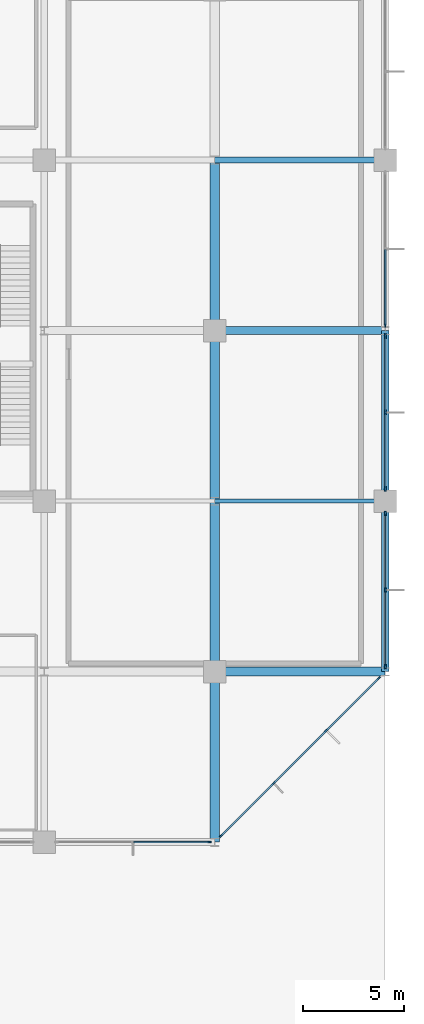
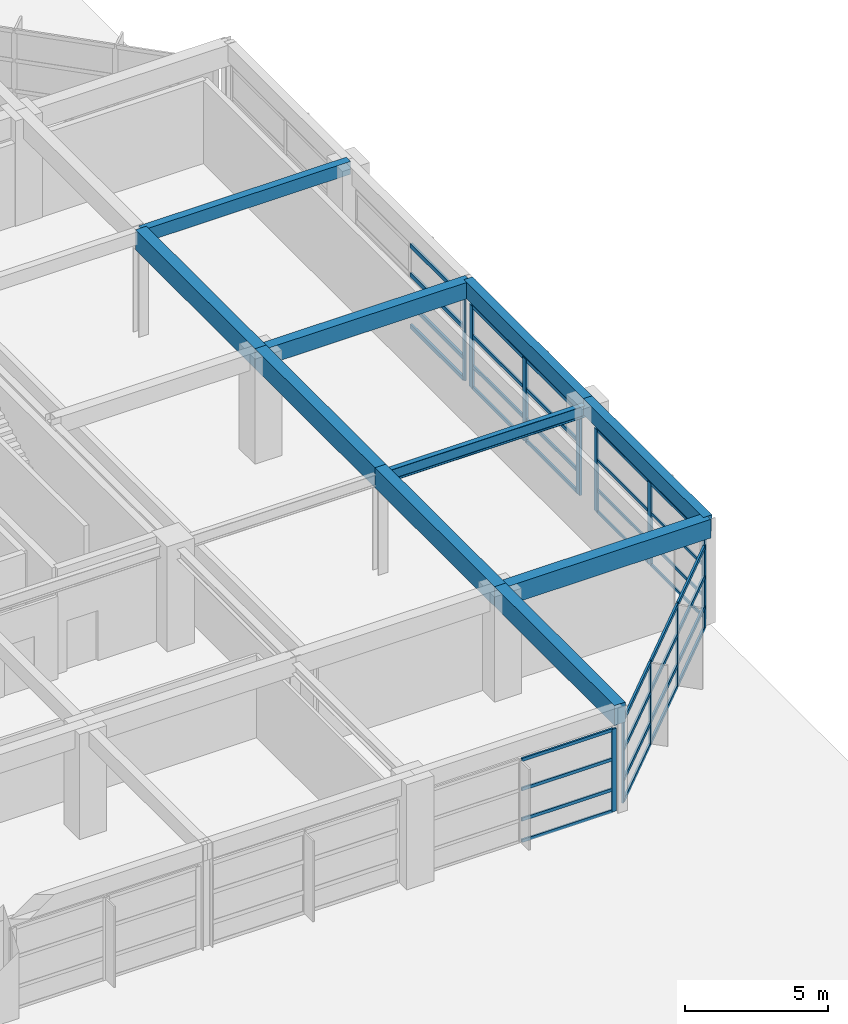
# One storey, part 34 of 47: 48 members, 10 beams, 5 elements without a shape of their own.
"""IFC4 building model written with IfcOpenShell, lengths in metres."""

from ifc_helpers import new_model, si_unit, direction, frame, origin, origin_2d, place, context, subcontext, project, spatial, rectangle, i_section, extrude, material, material_profile, profile_set, type_object, element, aggregate, save


model = new_model("IFC4")

# Units and contexts
model_context = context("Model", 3, precision=1e-05, world=origin(), true_north=direction((0.0, 1.0)))
body_context = subcontext(model_context, "Body", "Model", "MODEL_VIEW")
ifc_project = project(units=[si_unit("LENGTHUNIT", "METRE"), si_unit("AREAUNIT", "SQUARE_METRE"), si_unit("VOLUMEUNIT", "CUBIC_METRE"), si_unit("PLANEANGLEUNIT", "RADIAN"), si_unit("MASSUNIT", "GRAM", prefix="KILO")], contexts=[model_context])

# Site, building, storey
site_placement = place(None, origin())
site = spatial("IfcSite", under=ifc_project, at=site_placement, CompositionType="ELEMENT")
building_placement = place(site_placement, origin())
building = spatial("IfcBuilding", under=site, at=building_placement, Name="Xuanlan Plaza Opera House", CompositionType="ELEMENT")
storey_placement = place(building_placement, frame((0.0, 0.0, 23.39990234375)))
storey = spatial("IfcBuildingStorey", under=building, at=storey_placement, Name="L05", CompositionType="ELEMENT", Elevation=23.39990234375)

# Curtain wall, member
ifc_material_1 = material(Name="Anodised Aluminium 6063-T6 and Low-E Glass", Category="aluminium")
curtain_wall_type_1 = type_object("IfcCurtainWallType", Name="ENV-CW-CW-02", PredefinedType="USERDEFINED", material=ifc_material_1)
curtain_wall_1_placement = place(storey_placement, origin())
curtain_wall_1 = element("IfcCurtainWall", 1, at=curtain_wall_1_placement, inside=storey, type_object=curtain_wall_type_1, Name="Unitised Curtain Wall L05-019", ObjectType="UNITISED CURTAIN WALL", PredefinedType="USERDEFINED")
ifc_material_2 = material(Name="Anodised Aluminium 6063-T6", Category="aluminium")
ifc_material_profile_1 = material_profile(ifc_material_2, rectangle(XDim=0.06494140625, YDim=0.159912109375, at=origin_2d()), Name="ALU-M 65x160")
ifc_profile_set_1 = profile_set([ifc_material_profile_1], Name="Anodised Aluminium 6063-T6")
member_type_1 = type_object("IfcMemberType", Name="ENV-CWM-01", PredefinedType="MULLION", material=ifc_profile_set_1)
member_1_placement = place(storey_placement, frame((168.0, 59.052490234375, 0.0), z_axis=(0.0, 0.0, 1.0), x_axis=(-1.0, 0.0, 0.0)))
member_1 = element("IfcMember", 2, at=member_1_placement, type_object=member_type_1, Name="CW-02 mullion 1", PredefinedType="MULLION", context=body_context, shape_type="SweptSolid", body=[
    extrude(rectangle(XDim=0.06494140625, YDim=0.159912109375, at=origin_2d()), origin(), (0.0, 0.0, 1.0), 3.5400390625),
])

curtain_wall_2_placement = place(storey_placement, origin())
curtain_wall_2 = element("IfcCurtainWall", 3, at=curtain_wall_2_placement, inside=storey, type_object=curtain_wall_type_1, Name="Unitised Curtain Wall L05-015", ObjectType="UNITISED CURTAIN WALL", PredefinedType="USERDEFINED")
ifc_material_profile_2 = material_profile(ifc_material_2, rectangle(XDim=0.070068359375, YDim=0.179931640625, at=origin_2d()), Name="ALU-M 70x180")
ifc_profile_set_2 = profile_set([ifc_material_profile_2], Name="Anodised Aluminium 6063-T6")
member_type_2 = type_object("IfcMemberType", Name="ENV-CWM-02", PredefinedType="MULLION", material=ifc_profile_set_2)
member_2_placement = place(storey_placement, frame((159.344970703125, 33.60009765625, 0.0), z_axis=(0.0, 0.0, 1.0), x_axis=(0.0, 1.0, 0.0)))
member_2 = element("IfcMember", 4, at=member_2_placement, type_object=member_type_2, Name="CW-02 mullion 3", PredefinedType="MULLION", context=body_context, shape_type="SweptSolid", body=[
    extrude(rectangle(XDim=0.070068359375, YDim=0.179931640625, at=origin_2d()), origin(), (0.0, 0.0, 1.0), 3.5400390625),
])

# Curtain wall, members
curtain_wall_type_2 = type_object("IfcCurtainWallType", Name="ENV-CW-CW-03", PredefinedType="USERDEFINED", material=ifc_material_1)
curtain_wall_3_placement = place(storey_placement, origin())
curtain_wall_3 = element("IfcCurtainWall", 5, at=curtain_wall_3_placement, inside=storey, type_object=curtain_wall_type_2, Name="Unitised Curtain Wall L05-016", ObjectType="UNITISED CURTAIN WALL", PredefinedType="USERDEFINED")
ifc_material_profile_3 = material_profile(ifc_material_2, rectangle(XDim=0.074951171875, YDim=0.199951171875, at=origin_2d()), Name="ALU-M 75x200")
ifc_profile_set_3 = profile_set([ifc_material_profile_3], Name="Anodised Aluminium 6063-T6")
member_type_3 = type_object("IfcMemberType", Name="ENV-CWM-03", PredefinedType="MULLION", material=ifc_profile_set_3)
member_3_placement = place(storey_placement, frame((159.925537109375, 33.925537109375, 0.0), z_axis=(0.0, 0.0, 1.0), x_axis=(-0.707106781187, 0.707106781187, 0.0)))
member_3 = element("IfcMember", 6, at=member_3_placement, type_object=member_type_3, Name="CW-03 mullion 1", PredefinedType="MULLION", context=body_context, shape_type="SweptSolid", body=[
    extrude(rectangle(XDim=0.074951171875, YDim=0.199951171875, at=origin_2d()), origin(), (0.0, 0.0, 1.0), 3.5400390625),
])
member_4_placement = place(storey_placement, frame((162.499755859375, 36.499755859375, 0.0), z_axis=(0.0, 0.0, 1.0), x_axis=(-0.707106781187, 0.707106781187, 0.0)))
member_4 = element("IfcMember", 7, at=member_4_placement, type_object=member_type_3, Name="CW-03 mullion 2", PredefinedType="MULLION", context=body_context, shape_type="SweptSolid", body=[
    extrude(rectangle(XDim=0.074951171875, YDim=0.199951171875, at=origin_2d()), origin(), (0.0, 0.0, 1.0), 3.5400390625),
])
member_5_placement = place(storey_placement, frame((165.100341796875, 39.100341796875, 0.0), z_axis=(0.0, 0.0, 1.0), x_axis=(-0.707106781187, 0.707106781187, 0.0)))
member_5 = element("IfcMember", 8, at=member_5_placement, type_object=member_type_3, Name="CW-03 mullion 3", PredefinedType="MULLION", context=body_context, shape_type="SweptSolid", body=[
    extrude(rectangle(XDim=0.074951171875, YDim=0.199951171875, at=origin_2d()), origin(), (0.0, 0.0, 1.0), 3.5400390625),
])
member_6_placement = place(storey_placement, frame((167.674560546875, 41.674560546875, 0.0), z_axis=(0.0, 0.0, 1.0), x_axis=(-0.707106781187, 0.707106781187, 0.0)))
member_6 = element("IfcMember", 9, at=member_6_placement, type_object=member_type_3, Name="CW-03 mullion 4", PredefinedType="MULLION", context=body_context, shape_type="SweptSolid", body=[
    extrude(rectangle(XDim=0.074951171875, YDim=0.199951171875, at=origin_2d()), origin(), (0.0, 0.0, 1.0), 3.5400390625),
])

curtain_wall_type_3 = type_object("IfcCurtainWallType", Name="ENV-CW-CW-04", PredefinedType="USERDEFINED", material=ifc_material_1)
curtain_wall_4_placement = place(storey_placement, origin())
curtain_wall_4 = element("IfcCurtainWall", 10, at=curtain_wall_4_placement, inside=storey, type_object=curtain_wall_type_3, Name="Unitised Curtain Wall L05-017", ObjectType="UNITISED CURTAIN WALL", PredefinedType="USERDEFINED")
ifc_material_profile_4 = material_profile(ifc_material_2, rectangle(XDim=0.080078125, YDim=0.219970703125, at=origin_2d()), Name="ALU-M 80x220")
ifc_profile_set_4 = profile_set([ifc_material_profile_4], Name="Anodised Aluminium 6063-T6")
member_type_4 = type_object("IfcMemberType", Name="ENV-CWM-04", PredefinedType="MULLION", material=ifc_profile_set_4)
member_7_placement = place(storey_placement, frame((168.0, 42.260009765625, 0.0), z_axis=(0.0, 0.0, 1.0), x_axis=(-1.0, 0.0, 0.0)))
member_7 = element("IfcMember", 11, at=member_7_placement, type_object=member_type_4, Name="CW-04 mullion 1", PredefinedType="MULLION", context=body_context, shape_type="SweptSolid", body=[
    extrude(rectangle(XDim=0.080078125, YDim=0.219970703125, at=origin_2d()), origin(), (0.0, 0.0, 1.0), 3.5400390625),
])
member_8_placement = place(storey_placement, frame((168.0, 46.02490234375, 0.0), z_axis=(0.0, 0.0, 1.0), x_axis=(-1.0, 0.0, 0.0)))
member_8 = element("IfcMember", 12, at=member_8_placement, type_object=member_type_4, Name="CW-04 mullion 2", PredefinedType="MULLION", context=body_context, shape_type="SweptSolid", body=[
    extrude(rectangle(XDim=0.080078125, YDim=0.219970703125, at=origin_2d()), origin(), (0.0, 0.0, 1.0), 3.5400390625),
])
member_9_placement = place(storey_placement, frame((168.0, 49.7900390625, 0.0), z_axis=(0.0, 0.0, 1.0), x_axis=(-1.0, 0.0, 0.0)))
member_9 = element("IfcMember", 13, at=member_9_placement, type_object=member_type_4, Name="CW-04 mullion 3", PredefinedType="MULLION", context=body_context, shape_type="SweptSolid", body=[
    extrude(rectangle(XDim=0.080078125, YDim=0.219970703125, at=origin_2d()), origin(), (0.0, 0.0, 1.0), 3.5400390625),
])

curtain_wall_type_4 = type_object("IfcCurtainWallType", Name="ENV-CW-CW-01", PredefinedType="USERDEFINED", material=ifc_material_1)
curtain_wall_5_placement = place(storey_placement, origin())
curtain_wall_5 = element("IfcCurtainWall", 14, at=curtain_wall_5_placement, inside=storey, type_object=curtain_wall_type_4, Name="Unitised Curtain Wall L05-018", ObjectType="UNITISED CURTAIN WALL", PredefinedType="USERDEFINED")
ifc_material_profile_5 = material_profile(ifc_material_2, rectangle(XDim=0.090087890625, YDim=0.25, at=origin_2d()), Name="ALU-M 90x250")
ifc_profile_set_5 = profile_set([ifc_material_profile_5], Name="Anodised Aluminium 6063-T6")
member_type_5 = type_object("IfcMemberType", Name="ENV-CWM-05", PredefinedType="MULLION", material=ifc_profile_set_5)
member_10_placement = place(storey_placement, frame((168.0, 51.014892578125, 0.0), z_axis=(0.0, 0.0, 1.0), x_axis=(-1.0, 0.0, 0.0)))
member_10 = element("IfcMember", 15, at=member_10_placement, type_object=member_type_5, Name="CW-01 mullion 1", PredefinedType="MULLION", context=body_context, shape_type="SweptSolid", body=[
    extrude(rectangle(XDim=0.090087890625, YDim=0.25, at=origin_2d()), origin(), (0.0, 0.0, 1.0), 3.5400390625),
])
member_11_placement = place(storey_placement, frame((168.0, 54.77490234375, 0.0), z_axis=(0.0, 0.0, 1.0), x_axis=(-1.0, 0.0, 0.0)))
member_11 = element("IfcMember", 16, at=member_11_placement, type_object=member_type_5, Name="CW-01 mullion 2", PredefinedType="MULLION", context=body_context, shape_type="SweptSolid", body=[
    extrude(rectangle(XDim=0.090087890625, YDim=0.25, at=origin_2d()), origin(), (0.0, 0.0, 1.0), 3.5400390625),
])
member_12_placement = place(storey_placement, frame((168.0, 58.534912109375, 0.0), z_axis=(0.0, 0.0, 1.0), x_axis=(-1.0, 0.0, 0.0)))
member_12 = element("IfcMember", 17, at=member_12_placement, type_object=member_type_5, Name="CW-01 mullion 3", PredefinedType="MULLION", context=body_context, shape_type="SweptSolid", body=[
    extrude(rectangle(XDim=0.090087890625, YDim=0.25, at=origin_2d()), origin(), (0.0, 0.0, 1.0), 3.5400390625),
])

# Member
ifc_material_profile_6 = material_profile(ifc_material_2, rectangle(XDim=0.06494140625, YDim=0.1201171875, at=origin_2d()), Name="ALU-T 65x120")
ifc_profile_set_6 = profile_set([ifc_material_profile_6], Name="Anodised Aluminium 6063-T6")
member_type_6 = type_object("IfcMemberType", Name="ENV-CWT-01", PredefinedType="USERDEFINED", material=ifc_profile_set_6)
member_13_placement = place(storey_placement, frame((168.0, 42.300048828125, 0.03271484375), z_axis=(0.0, 1.0, 0.0), x_axis=(-1.0, 0.0, 0.0)))
member_13 = element("IfcMember", 18, at=member_13_placement, type_object=member_type_6, Name="CW-04 transom 1.1", ObjectType="TRANSOM", PredefinedType="USERDEFINED", context=body_context, shape_type="SweptSolid", body=[
    extrude(rectangle(XDim=0.06494140625, YDim=0.1201171875, at=origin_2d()), origin(), (0.0, 0.0, 1.0), 3.68505859375),
])

member_14_placement = place(storey_placement, frame((168.0, 42.300048828125, 0.9501953125), z_axis=(0.0, 1.0, 0.0), x_axis=(-1.0, 0.0, 0.0)))
member_14 = element("IfcMember", 19, at=member_14_placement, type_object=member_type_6, Name="CW-04 transom 1.2", ObjectType="TRANSOM", PredefinedType="USERDEFINED", context=body_context, shape_type="SweptSolid", body=[
    extrude(rectangle(XDim=0.06494140625, YDim=0.1201171875, at=origin_2d()), origin(), (0.0, 0.0, 1.0), 3.68505859375),
])

member_15_placement = place(storey_placement, frame((168.0, 42.300048828125, 2.25), z_axis=(0.0, 1.0, 0.0), x_axis=(-1.0, 0.0, 0.0)))
member_15 = element("IfcMember", 20, at=member_15_placement, type_object=member_type_6, Name="CW-04 transom 1.3", ObjectType="TRANSOM", PredefinedType="USERDEFINED", context=body_context, shape_type="SweptSolid", body=[
    extrude(rectangle(XDim=0.06494140625, YDim=0.1201171875, at=origin_2d()), origin(), (0.0, 0.0, 1.0), 3.68505859375),
])

member_16_placement = place(storey_placement, frame((168.0, 42.300048828125, 3.507568359375), z_axis=(0.0, 1.0, 0.0), x_axis=(-1.0, 0.0, 0.0)))
member_16 = element("IfcMember", 21, at=member_16_placement, type_object=member_type_6, Name="CW-04 transom 1.4", ObjectType="TRANSOM", PredefinedType="USERDEFINED", context=body_context, shape_type="SweptSolid", body=[
    extrude(rectangle(XDim=0.06494140625, YDim=0.1201171875, at=origin_2d()), origin(), (0.0, 0.0, 1.0), 3.68505859375),
])

member_17_placement = place(storey_placement, frame((168.0, 46.06494140625, 0.03271484375), z_axis=(0.0, 1.0, 0.0), x_axis=(-1.0, 0.0, 0.0)))
member_17 = element("IfcMember", 22, at=member_17_placement, type_object=member_type_6, Name="CW-04 transom 2.1", ObjectType="TRANSOM", PredefinedType="USERDEFINED", context=body_context, shape_type="SweptSolid", body=[
    extrude(rectangle(XDim=0.06494140625, YDim=0.1201171875, at=origin_2d()), origin(), (0.0, 0.0, 1.0), 3.68505859375),
])

member_18_placement = place(storey_placement, frame((168.0, 46.06494140625, 0.9501953125), z_axis=(0.0, 1.0, 0.0), x_axis=(-1.0, 0.0, 0.0)))
member_18 = element("IfcMember", 23, at=member_18_placement, type_object=member_type_6, Name="CW-04 transom 2.2", ObjectType="TRANSOM", PredefinedType="USERDEFINED", context=body_context, shape_type="SweptSolid", body=[
    extrude(rectangle(XDim=0.06494140625, YDim=0.1201171875, at=origin_2d()), origin(), (0.0, 0.0, 1.0), 3.68505859375),
])

member_19_placement = place(storey_placement, frame((168.0, 46.06494140625, 2.25), z_axis=(0.0, 1.0, 0.0), x_axis=(-1.0, 0.0, 0.0)))
member_19 = element("IfcMember", 24, at=member_19_placement, type_object=member_type_6, Name="CW-04 transom 2.3", ObjectType="TRANSOM", PredefinedType="USERDEFINED", context=body_context, shape_type="SweptSolid", body=[
    extrude(rectangle(XDim=0.06494140625, YDim=0.1201171875, at=origin_2d()), origin(), (0.0, 0.0, 1.0), 3.68505859375),
])

member_20_placement = place(storey_placement, frame((168.0, 46.06494140625, 3.507568359375), z_axis=(0.0, 1.0, 0.0), x_axis=(-1.0, 0.0, 0.0)))
member_20 = element("IfcMember", 25, at=member_20_placement, type_object=member_type_6, Name="CW-04 transom 2.4", ObjectType="TRANSOM", PredefinedType="USERDEFINED", context=body_context, shape_type="SweptSolid", body=[
    extrude(rectangle(XDim=0.06494140625, YDim=0.1201171875, at=origin_2d()), origin(), (0.0, 0.0, 1.0), 3.68505859375),
])

aggregate(curtain_wall_4, [member_7, member_8, member_9, member_13, member_14, member_15, member_16, member_17, member_18, member_19, member_20])

ifc_material_profile_7 = material_profile(ifc_material_2, rectangle(XDim=0.070068359375, YDim=0.135009765625, at=origin_2d()), Name="ALU-T 70x135")
ifc_profile_set_7 = profile_set([ifc_material_profile_7], Name="Anodised Aluminium 6063-T6")
member_type_7 = type_object("IfcMemberType", Name="ENV-CWT-02", PredefinedType="USERDEFINED", material=ifc_profile_set_7)
member_21_placement = place(storey_placement, frame((155.610107421875, 33.60009765625, 0.03515625), z_axis=(1.0, 0.0, 0.0), x_axis=(0.0, 1.0, 0.0)))
member_21 = element("IfcMember", 26, at=member_21_placement, type_object=member_type_7, Name="CW-02 transom 2.1", ObjectType="TRANSOM", PredefinedType="USERDEFINED", context=body_context, shape_type="SweptSolid", body=[
    extrude(rectangle(XDim=0.070068359375, YDim=0.135009765625, at=origin_2d()), origin(), (0.0, 0.0, 1.0), 3.699951171875),
])

member_22_placement = place(storey_placement, frame((155.610107421875, 33.60009765625, 0.9501953125), z_axis=(1.0, 0.0, 0.0), x_axis=(0.0, 1.0, 0.0)))
member_22 = element("IfcMember", 27, at=member_22_placement, type_object=member_type_7, Name="CW-02 transom 2.2", ObjectType="TRANSOM", PredefinedType="USERDEFINED", context=body_context, shape_type="SweptSolid", body=[
    extrude(rectangle(XDim=0.070068359375, YDim=0.135009765625, at=origin_2d()), origin(), (0.0, 0.0, 1.0), 3.699951171875),
])

member_23_placement = place(storey_placement, frame((155.610107421875, 33.60009765625, 2.25), z_axis=(1.0, 0.0, 0.0), x_axis=(0.0, 1.0, 0.0)))
member_23 = element("IfcMember", 28, at=member_23_placement, type_object=member_type_7, Name="CW-02 transom 2.3", ObjectType="TRANSOM", PredefinedType="USERDEFINED", context=body_context, shape_type="SweptSolid", body=[
    extrude(rectangle(XDim=0.070068359375, YDim=0.135009765625, at=origin_2d()), origin(), (0.0, 0.0, 1.0), 3.699951171875),
])

member_24_placement = place(storey_placement, frame((155.610107421875, 33.60009765625, 3.505126953125), z_axis=(1.0, 0.0, 0.0), x_axis=(0.0, 1.0, 0.0)))
member_24 = element("IfcMember", 29, at=member_24_placement, type_object=member_type_7, Name="CW-02 transom 2.4", ObjectType="TRANSOM", PredefinedType="USERDEFINED", context=body_context, shape_type="SweptSolid", body=[
    extrude(rectangle(XDim=0.070068359375, YDim=0.135009765625, at=origin_2d()), origin(), (0.0, 0.0, 1.0), 3.699951171875),
])

aggregate(curtain_wall_2, [member_2, member_21, member_22, member_23, member_24])

ifc_material_profile_8 = material_profile(ifc_material_2, rectangle(XDim=0.074951171875, YDim=0.14990234375, at=origin_2d()), Name="ALU-T 75x150")
ifc_profile_set_8 = profile_set([ifc_material_profile_8], Name="Anodised Aluminium 6063-T6")
member_type_8 = type_object("IfcMemberType", Name="ENV-CWT-03", PredefinedType="USERDEFINED", material=ifc_profile_set_8)
member_25_placement = place(storey_placement, frame((168.0, 51.06005859375, 0.03759765625), z_axis=(0.0, 1.0, 0.0), x_axis=(-1.0, 0.0, 0.0)))
member_25 = element("IfcMember", 30, at=member_25_placement, type_object=member_type_8, Name="CW-01 transom 1.1", ObjectType="TRANSOM", PredefinedType="USERDEFINED", context=body_context, shape_type="SweptSolid", body=[
    extrude(rectangle(XDim=0.074951171875, YDim=0.14990234375, at=origin_2d()), origin(), (0.0, 0.0, 1.0), 3.669921875),
])

member_26_placement = place(storey_placement, frame((168.0, 51.06005859375, 0.9501953125), z_axis=(0.0, 1.0, 0.0), x_axis=(-1.0, 0.0, 0.0)))
member_26 = element("IfcMember", 31, at=member_26_placement, type_object=member_type_8, Name="CW-01 transom 1.2", ObjectType="TRANSOM", PredefinedType="USERDEFINED", context=body_context, shape_type="SweptSolid", body=[
    extrude(rectangle(XDim=0.074951171875, YDim=0.14990234375, at=origin_2d()), origin(), (0.0, 0.0, 1.0), 3.669921875),
])

member_27_placement = place(storey_placement, frame((168.0, 51.06005859375, 2.25), z_axis=(0.0, 1.0, 0.0), x_axis=(-1.0, 0.0, 0.0)))
member_27 = element("IfcMember", 32, at=member_27_placement, type_object=member_type_8, Name="CW-01 transom 1.3", ObjectType="TRANSOM", PredefinedType="USERDEFINED", context=body_context, shape_type="SweptSolid", body=[
    extrude(rectangle(XDim=0.074951171875, YDim=0.14990234375, at=origin_2d()), origin(), (0.0, 0.0, 1.0), 3.669921875),
])

member_28_placement = place(storey_placement, frame((168.0, 51.06005859375, 3.502685546875), z_axis=(0.0, 1.0, 0.0), x_axis=(-1.0, 0.0, 0.0)))
member_28 = element("IfcMember", 33, at=member_28_placement, type_object=member_type_8, Name="CW-01 transom 1.4", ObjectType="TRANSOM", PredefinedType="USERDEFINED", context=body_context, shape_type="SweptSolid", body=[
    extrude(rectangle(XDim=0.074951171875, YDim=0.14990234375, at=origin_2d()), origin(), (0.0, 0.0, 1.0), 3.669921875),
])

member_29_placement = place(storey_placement, frame((168.0, 54.820068359375, 0.03759765625), z_axis=(0.0, 1.0, 0.0), x_axis=(-1.0, 0.0, 0.0)))
member_29 = element("IfcMember", 34, at=member_29_placement, type_object=member_type_8, Name="CW-01 transom 2.1", ObjectType="TRANSOM", PredefinedType="USERDEFINED", context=body_context, shape_type="SweptSolid", body=[
    extrude(rectangle(XDim=0.074951171875, YDim=0.14990234375, at=origin_2d()), origin(), (0.0, 0.0, 1.0), 3.669921875),
])

member_30_placement = place(storey_placement, frame((168.0, 54.820068359375, 0.9501953125), z_axis=(0.0, 1.0, 0.0), x_axis=(-1.0, 0.0, 0.0)))
member_30 = element("IfcMember", 35, at=member_30_placement, type_object=member_type_8, Name="CW-01 transom 2.2", ObjectType="TRANSOM", PredefinedType="USERDEFINED", context=body_context, shape_type="SweptSolid", body=[
    extrude(rectangle(XDim=0.074951171875, YDim=0.14990234375, at=origin_2d()), origin(), (0.0, 0.0, 1.0), 3.669921875),
])

member_31_placement = place(storey_placement, frame((168.0, 54.820068359375, 2.25), z_axis=(0.0, 1.0, 0.0), x_axis=(-1.0, 0.0, 0.0)))
member_31 = element("IfcMember", 36, at=member_31_placement, type_object=member_type_8, Name="CW-01 transom 2.3", ObjectType="TRANSOM", PredefinedType="USERDEFINED", context=body_context, shape_type="SweptSolid", body=[
    extrude(rectangle(XDim=0.074951171875, YDim=0.14990234375, at=origin_2d()), origin(), (0.0, 0.0, 1.0), 3.669921875),
])

member_32_placement = place(storey_placement, frame((168.0, 54.820068359375, 3.502685546875), z_axis=(0.0, 1.0, 0.0), x_axis=(-1.0, 0.0, 0.0)))
member_32 = element("IfcMember", 37, at=member_32_placement, type_object=member_type_8, Name="CW-01 transom 2.4", ObjectType="TRANSOM", PredefinedType="USERDEFINED", context=body_context, shape_type="SweptSolid", body=[
    extrude(rectangle(XDim=0.074951171875, YDim=0.14990234375, at=origin_2d()), origin(), (0.0, 0.0, 1.0), 3.669921875),
])

aggregate(curtain_wall_5, [member_10, member_11, member_12, member_25, member_26, member_27, member_28, member_29, member_30, member_31, member_32])

ifc_material_profile_9 = material_profile(ifc_material_2, rectangle(XDim=0.080078125, YDim=0.1650390625, at=origin_2d()), Name="ALU-T 80x165")
ifc_profile_set_9 = profile_set([ifc_material_profile_9], Name="Anodised Aluminium 6063-T6")
member_type_9 = type_object("IfcMemberType", Name="ENV-CWT-04", PredefinedType="USERDEFINED", material=ifc_profile_set_9)
member_33_placement = place(storey_placement, frame((159.9521484375, 33.9521484375, 0.0400390625), z_axis=(0.707106781187, 0.707106781187, 0.0), x_axis=(-0.707106781187, 0.707106781187, 0.0)))
member_33 = element("IfcMember", 38, at=member_33_placement, type_object=member_type_9, Name="CW-03 transom 1.1", ObjectType="TRANSOM", PredefinedType="USERDEFINED", context=body_context, shape_type="SweptSolid", body=[
    extrude(rectangle(XDim=0.080078125, YDim=0.1650390625, at=origin_2d()), origin(), (0.0, 0.0, 1.0), 3.565185546875),
])

member_34_placement = place(storey_placement, frame((159.9521484375, 33.9521484375, 0.9501953125), z_axis=(0.707106781187, 0.707106781187, 0.0), x_axis=(-0.707106781187, 0.707106781187, 0.0)))
member_34 = element("IfcMember", 39, at=member_34_placement, type_object=member_type_9, Name="CW-03 transom 1.2", ObjectType="TRANSOM", PredefinedType="USERDEFINED", context=body_context, shape_type="SweptSolid", body=[
    extrude(rectangle(XDim=0.080078125, YDim=0.1650390625, at=origin_2d()), origin(), (0.0, 0.0, 1.0), 3.565185546875),
])

member_35_placement = place(storey_placement, frame((159.9521484375, 33.9521484375, 2.25), z_axis=(0.707106781187, 0.707106781187, 0.0), x_axis=(-0.707106781187, 0.707106781187, 0.0)))
member_35 = element("IfcMember", 40, at=member_35_placement, type_object=member_type_9, Name="CW-03 transom 1.3", ObjectType="TRANSOM", PredefinedType="USERDEFINED", context=body_context, shape_type="SweptSolid", body=[
    extrude(rectangle(XDim=0.080078125, YDim=0.1650390625, at=origin_2d()), origin(), (0.0, 0.0, 1.0), 3.565185546875),
])

member_36_placement = place(storey_placement, frame((159.9521484375, 33.9521484375, 3.5), z_axis=(0.707106781187, 0.707106781187, 0.0), x_axis=(-0.707106781187, 0.707106781187, 0.0)))
member_36 = element("IfcMember", 41, at=member_36_placement, type_object=member_type_9, Name="CW-03 transom 1.4", ObjectType="TRANSOM", PredefinedType="USERDEFINED", context=body_context, shape_type="SweptSolid", body=[
    extrude(rectangle(XDim=0.080078125, YDim=0.1650390625, at=origin_2d()), origin(), (0.0, 0.0, 1.0), 3.565185546875),
])

member_37_placement = place(storey_placement, frame((162.526123046875, 36.526123046875, 0.0400390625), z_axis=(0.707106781187, 0.707106781187, 0.0), x_axis=(-0.707106781187, 0.707106781187, 0.0)))
member_37 = element("IfcMember", 42, at=member_37_placement, type_object=member_type_9, Name="CW-03 transom 2.1", ObjectType="TRANSOM", PredefinedType="USERDEFINED", context=body_context, shape_type="SweptSolid", body=[
    extrude(rectangle(XDim=0.080078125, YDim=0.1650390625, at=origin_2d()), origin(), (0.0, 0.0, 1.0), 3.602783203125),
])

member_38_placement = place(storey_placement, frame((162.526123046875, 36.526123046875, 0.9501953125), z_axis=(0.707106781187, 0.707106781187, 0.0), x_axis=(-0.707106781187, 0.707106781187, 0.0)))
member_38 = element("IfcMember", 43, at=member_38_placement, type_object=member_type_9, Name="CW-03 transom 2.2", ObjectType="TRANSOM", PredefinedType="USERDEFINED", context=body_context, shape_type="SweptSolid", body=[
    extrude(rectangle(XDim=0.080078125, YDim=0.1650390625, at=origin_2d()), origin(), (0.0, 0.0, 1.0), 3.602783203125),
])

member_39_placement = place(storey_placement, frame((162.526123046875, 36.526123046875, 2.25), z_axis=(0.707106781187, 0.707106781187, 0.0), x_axis=(-0.707106781187, 0.707106781187, 0.0)))
member_39 = element("IfcMember", 44, at=member_39_placement, type_object=member_type_9, Name="CW-03 transom 2.3", ObjectType="TRANSOM", PredefinedType="USERDEFINED", context=body_context, shape_type="SweptSolid", body=[
    extrude(rectangle(XDim=0.080078125, YDim=0.1650390625, at=origin_2d()), origin(), (0.0, 0.0, 1.0), 3.602783203125),
])

member_40_placement = place(storey_placement, frame((162.526123046875, 36.526123046875, 3.5), z_axis=(0.707106781187, 0.707106781187, 0.0), x_axis=(-0.707106781187, 0.707106781187, 0.0)))
member_40 = element("IfcMember", 45, at=member_40_placement, type_object=member_type_9, Name="CW-03 transom 2.4", ObjectType="TRANSOM", PredefinedType="USERDEFINED", context=body_context, shape_type="SweptSolid", body=[
    extrude(rectangle(XDim=0.080078125, YDim=0.1650390625, at=origin_2d()), origin(), (0.0, 0.0, 1.0), 3.602783203125),
])

member_41_placement = place(storey_placement, frame((165.126953125, 39.126953125, 0.0400390625), z_axis=(0.707106781187, 0.707106781187, 0.0), x_axis=(-0.707106781187, 0.707106781187, 0.0)))
member_41 = element("IfcMember", 46, at=member_41_placement, type_object=member_type_9, Name="CW-03 transom 3.1", ObjectType="TRANSOM", PredefinedType="USERDEFINED", context=body_context, shape_type="SweptSolid", body=[
    extrude(rectangle(XDim=0.080078125, YDim=0.1650390625, at=origin_2d()), origin(), (0.0, 0.0, 1.0), 3.565185546875),
])

member_42_placement = place(storey_placement, frame((165.126953125, 39.126953125, 0.9501953125), z_axis=(0.707106781187, 0.707106781187, 0.0), x_axis=(-0.707106781187, 0.707106781187, 0.0)))
member_42 = element("IfcMember", 47, at=member_42_placement, type_object=member_type_9, Name="CW-03 transom 3.2", ObjectType="TRANSOM", PredefinedType="USERDEFINED", context=body_context, shape_type="SweptSolid", body=[
    extrude(rectangle(XDim=0.080078125, YDim=0.1650390625, at=origin_2d()), origin(), (0.0, 0.0, 1.0), 3.565185546875),
])

member_43_placement = place(storey_placement, frame((165.126953125, 39.126953125, 2.25), z_axis=(0.707106781187, 0.707106781187, 0.0), x_axis=(-0.707106781187, 0.707106781187, 0.0)))
member_43 = element("IfcMember", 48, at=member_43_placement, type_object=member_type_9, Name="CW-03 transom 3.3", ObjectType="TRANSOM", PredefinedType="USERDEFINED", context=body_context, shape_type="SweptSolid", body=[
    extrude(rectangle(XDim=0.080078125, YDim=0.1650390625, at=origin_2d()), origin(), (0.0, 0.0, 1.0), 3.565185546875),
])

member_44_placement = place(storey_placement, frame((165.126953125, 39.126953125, 3.5), z_axis=(0.707106781187, 0.707106781187, 0.0), x_axis=(-0.707106781187, 0.707106781187, 0.0)))
member_44 = element("IfcMember", 49, at=member_44_placement, type_object=member_type_9, Name="CW-03 transom 3.4", ObjectType="TRANSOM", PredefinedType="USERDEFINED", context=body_context, shape_type="SweptSolid", body=[
    extrude(rectangle(XDim=0.080078125, YDim=0.1650390625, at=origin_2d()), origin(), (0.0, 0.0, 1.0), 3.565185546875),
])

aggregate(curtain_wall_3, [member_3, member_4, member_5, member_6, member_33, member_34, member_35, member_36, member_37, member_38, member_39, member_40, member_41, member_42, member_43, member_44])

ifc_material_profile_10 = material_profile(ifc_material_2, rectangle(XDim=0.090087890625, YDim=0.179931640625, at=origin_2d()), Name="ALU-T 90x180")
ifc_profile_set_10 = profile_set([ifc_material_profile_10], Name="Anodised Aluminium 6063-T6")
member_type_10 = type_object("IfcMemberType", Name="ENV-CWT-05", PredefinedType="USERDEFINED", material=ifc_profile_set_10)
member_45_placement = place(storey_placement, frame((168.0, 59.0849609375, 0.045166015625), z_axis=(0.0, 1.0, 0.0), x_axis=(-1.0, 0.0, 0.0)))
member_45 = element("IfcMember", 50, at=member_45_placement, type_object=member_type_10, Name="CW-02 transom 1.1", ObjectType="TRANSOM", PredefinedType="USERDEFINED", context=body_context, shape_type="SweptSolid", body=[
    extrude(rectangle(XDim=0.090087890625, YDim=0.179931640625, at=origin_2d()), origin(), (0.0, 0.0, 1.0), 3.70751953125),
])

member_46_placement = place(storey_placement, frame((168.0, 59.0849609375, 0.9501953125), z_axis=(0.0, 1.0, 0.0), x_axis=(-1.0, 0.0, 0.0)))
member_46 = element("IfcMember", 51, at=member_46_placement, type_object=member_type_10, Name="CW-02 transom 1.2", ObjectType="TRANSOM", PredefinedType="USERDEFINED", context=body_context, shape_type="SweptSolid", body=[
    extrude(rectangle(XDim=0.090087890625, YDim=0.179931640625, at=origin_2d()), origin(), (0.0, 0.0, 1.0), 3.70751953125),
])

member_47_placement = place(storey_placement, frame((168.0, 59.0849609375, 2.25), z_axis=(0.0, 1.0, 0.0), x_axis=(-1.0, 0.0, 0.0)))
member_47 = element("IfcMember", 52, at=member_47_placement, type_object=member_type_10, Name="CW-02 transom 1.3", ObjectType="TRANSOM", PredefinedType="USERDEFINED", context=body_context, shape_type="SweptSolid", body=[
    extrude(rectangle(XDim=0.090087890625, YDim=0.179931640625, at=origin_2d()), origin(), (0.0, 0.0, 1.0), 3.70751953125),
])

member_48_placement = place(storey_placement, frame((168.0, 59.0849609375, 3.4951171875), z_axis=(0.0, 1.0, 0.0), x_axis=(-1.0, 0.0, 0.0)))
member_48 = element("IfcMember", 53, at=member_48_placement, type_object=member_type_10, Name="CW-02 transom 1.4", ObjectType="TRANSOM", PredefinedType="USERDEFINED", context=body_context, shape_type="SweptSolid", body=[
    extrude(rectangle(XDim=0.090087890625, YDim=0.179931640625, at=origin_2d()), origin(), (0.0, 0.0, 1.0), 3.70751953125),
])

aggregate(curtain_wall_1, [member_1, member_45, member_46, member_47, member_48])

# Beams
ifc_material_3 = material(Name="Concrete C40", Category="concrete")
ifc_material_profile_11 = material_profile(ifc_material_3, rectangle(XDim=0.449951171875, YDim=0.85009765625, at=origin_2d()), Name="RC-BM 450x850")
ifc_profile_set_11 = profile_set([ifc_material_profile_11], Name="Concrete C40")
beam_type_1 = type_object("IfcBeamType", Name="STR-BM-B-04", PredefinedType="BEAM", material=ifc_profile_set_11)
for number, where, z_axis, x_axis, name in (
    (54, (159.60009765625, 33.60009765625, 4.0751953125), (0.0, 1.0, 0.0), (-1.0, 0.0, 0.0), "Grid Beam Y L05 20/E-F"),
    (55, (159.60009765625, 42.0, 4.0751953125), (0.0, 1.0, 0.0), (-1.0, 0.0, 0.0), "Grid Beam Y L05 20/F-G"),
):
    element("IfcBeam", number, at=place(storey_placement, frame(where, z_axis=z_axis, x_axis=x_axis)), inside=storey, type_object=beam_type_1, Name=name, PredefinedType="BEAM", context=body_context, shape_type="SweptSolid", body=[
        extrude(rectangle(XDim=0.449951171875, YDim=0.85009765625, at=origin_2d()), origin(), (0.0, 0.0, 1.0), 8.39990234375),
    ])
beam_1_placement = place(storey_placement, frame((159.60009765625, 50.39990234375, 4.0751953125), z_axis=(0.0, 1.0, 0.0), x_axis=(-1.0, 0.0, 0.0)))
element("IfcBeam", 56, at=beam_1_placement, inside=storey, type_object=beam_type_1, Name="Grid Beam Y L05 20/G-H", PredefinedType="BEAM", context=body_context, shape_type="SweptSolid", body=[
    extrude(rectangle(XDim=0.449951171875, YDim=0.85009765625, at=origin_2d()), origin(), (0.0, 0.0, 1.0), 8.400146484375),
])
beam_2_placement = place(storey_placement, frame((159.60009765625, 58.800048828125, 4.0751953125), z_axis=(0.0, 1.0, 0.0), x_axis=(-1.0, 0.0, 0.0)))
element("IfcBeam", 57, at=beam_2_placement, inside=storey, type_object=beam_type_1, Name="Grid Beam Y L05 20/H-I", PredefinedType="BEAM", context=body_context, shape_type="SweptSolid", body=[
    extrude(rectangle(XDim=0.449951171875, YDim=0.85009765625, at=origin_2d()), origin(), (0.0, 0.0, 1.0), 8.39990234375),
])
ifc_material_profile_12 = material_profile(ifc_material_3, rectangle(XDim=0.449951171875, YDim=0.800048828125, at=origin_2d()), Name="RC-BM 450x800")
ifc_profile_set_12 = profile_set([ifc_material_profile_12], Name="Concrete C40")
beam_type_2 = type_object("IfcBeamType", Name="STR-BM-B-05", PredefinedType="BEAM", material=ifc_profile_set_12)
beam_3_placement = place(storey_placement, frame((159.60009765625, 42.0, 4.10009765625), z_axis=(1.0, 0.0, 0.0), x_axis=(0.0, 1.0, 0.0)))
element("IfcBeam", 58, at=beam_3_placement, inside=storey, type_object=beam_type_2, Name="Grid Beam X L05 20-21/F", PredefinedType="BEAM", context=body_context, shape_type="SweptSolid", body=[
    extrude(rectangle(XDim=0.449951171875, YDim=0.800048828125, at=origin_2d()), origin(), (0.0, 0.0, 1.0), 8.39990234375),
])
ifc_material_profile_13 = material_profile(ifc_material_3, rectangle(XDim=0.39990234375, YDim=0.699951171875, at=origin_2d()), Name="RC-BM 400x700")
ifc_profile_set_13 = profile_set([ifc_material_profile_13], Name="Concrete C40")
beam_type_3 = type_object("IfcBeamType", Name="STR-BM-B-07", PredefinedType="BEAM", material=ifc_profile_set_13)
beam_4_placement = place(storey_placement, frame((159.60009765625, 58.800048828125, 4.150146484375), z_axis=(1.0, 0.0, 0.0), x_axis=(0.0, 1.0, 0.0)))
element("IfcBeam", 59, at=beam_4_placement, inside=storey, type_object=beam_type_3, Name="Grid Beam X L05 20-21/H", PredefinedType="BEAM", context=body_context, shape_type="SweptSolid", body=[
    extrude(rectangle(XDim=0.39990234375, YDim=0.699951171875, at=origin_2d()), origin(), (0.0, 0.0, 1.0), 8.39990234375),
])
ifc_material_profile_14 = material_profile(ifc_material_3, rectangle(XDim=0.300048828125, YDim=0.550048828125, at=origin_2d()), Name="RC-BM 300x550")
ifc_profile_set_14 = profile_set([ifc_material_profile_14], Name="Concrete C40")
beam_type_4 = type_object("IfcBeamType", Name="STR-BM-B-09", PredefinedType="BEAM", material=ifc_profile_set_14)
beam_5_placement = place(storey_placement, frame((159.60009765625, 67.199951171875, 4.22509765625), z_axis=(1.0, 0.0, 0.0), x_axis=(0.0, 1.0, 0.0)))
element("IfcBeam", 60, at=beam_5_placement, inside=storey, type_object=beam_type_4, Name="Grid Beam X L05 20-21/I", PredefinedType="BEAM", context=body_context, shape_type="SweptSolid", body=[
    extrude(rectangle(XDim=0.300048828125, YDim=0.550048828125, at=origin_2d()), origin(), (0.0, 0.0, 1.0), 8.39990234375),
])
ifc_material_4 = material(Name="Steel Q355B", Category="steel")
ifc_material_profile_15 = material_profile(ifc_material_4, i_section(OverallWidth=0.199951171875, OverallDepth=0.5, WebThickness=0.010009765625, FlangeThickness=0.01611328125, FilletRadius=0.02001953125, at=origin_2d()), Name="HN 500x200x10x16")
ifc_profile_set_15 = profile_set([ifc_material_profile_15], Name="Steel Q355B")
beam_type_5 = type_object("IfcBeamType", Name="STR-BM-SB-05", PredefinedType="BEAM", material=ifc_profile_set_15)
beam_6_placement = place(storey_placement, frame((159.60009765625, 50.39990234375, 4.005126953125), z_axis=(1.0, 0.0, 0.0), x_axis=(0.0, 1.0, 0.0)))
element("IfcBeam", 61, at=beam_6_placement, inside=storey, type_object=beam_type_5, Name="Grid Beam X L05 20-21/G", PredefinedType="BEAM", context=body_context, shape_type="SweptSolid", body=[
    extrude(i_section(OverallWidth=0.199951171875, OverallDepth=0.5, WebThickness=0.010009765625, FlangeThickness=0.01611328125, FilletRadius=0.02001953125, at=origin_2d()), origin(), (0.0, 0.0, 1.0), 8.39990234375),
])
ifc_material_profile_16 = material_profile(ifc_material_3, rectangle(XDim=0.35009765625, YDim=0.699951171875, at=origin_2d()), Name="RC-SPD 350x700")
ifc_profile_set_16 = profile_set([ifc_material_profile_16], Name="Concrete C40")
beam_type_6 = type_object("IfcBeamType", Name="STR-BM-SP-02", PredefinedType="SPANDREL", material=ifc_profile_set_16)
beam_7_placement = place(storey_placement, frame((168.0, 42.0, 4.150146484375), z_axis=(0.0, 1.0, 0.0), x_axis=(-1.0, 0.0, 0.0)))
element("IfcBeam", 62, at=beam_7_placement, inside=storey, type_object=beam_type_6, Name="Grid Beam Y L05 21/F-G", PredefinedType="SPANDREL", context=body_context, shape_type="SweptSolid", body=[
    extrude(rectangle(XDim=0.35009765625, YDim=0.699951171875, at=origin_2d()), origin(), (0.0, 0.0, 1.0), 8.39990234375),
])
beam_8_placement = place(storey_placement, frame((168.0, 50.39990234375, 4.150146484375), z_axis=(0.0, 1.0, 0.0), x_axis=(-1.0, 0.0, 0.0)))
element("IfcBeam", 63, at=beam_8_placement, inside=storey, type_object=beam_type_6, Name="Grid Beam Y L05 21/G-H", PredefinedType="SPANDREL", context=body_context, shape_type="SweptSolid", body=[
    extrude(rectangle(XDim=0.35009765625, YDim=0.699951171875, at=origin_2d()), origin(), (0.0, 0.0, 1.0), 8.400146484375),
])

save(model, "model.ifc")
